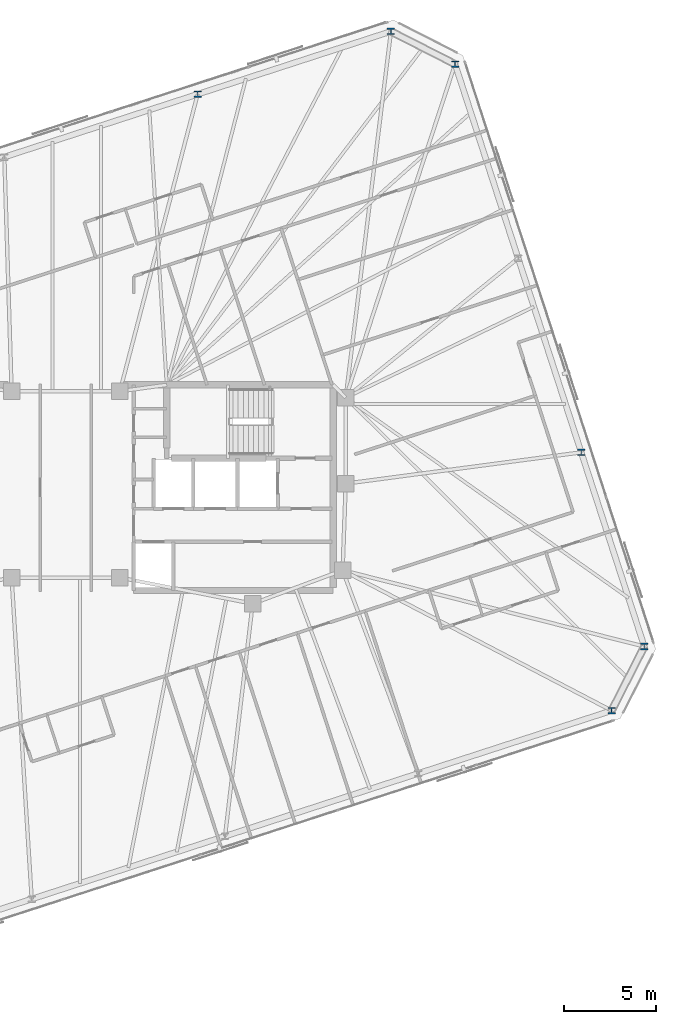
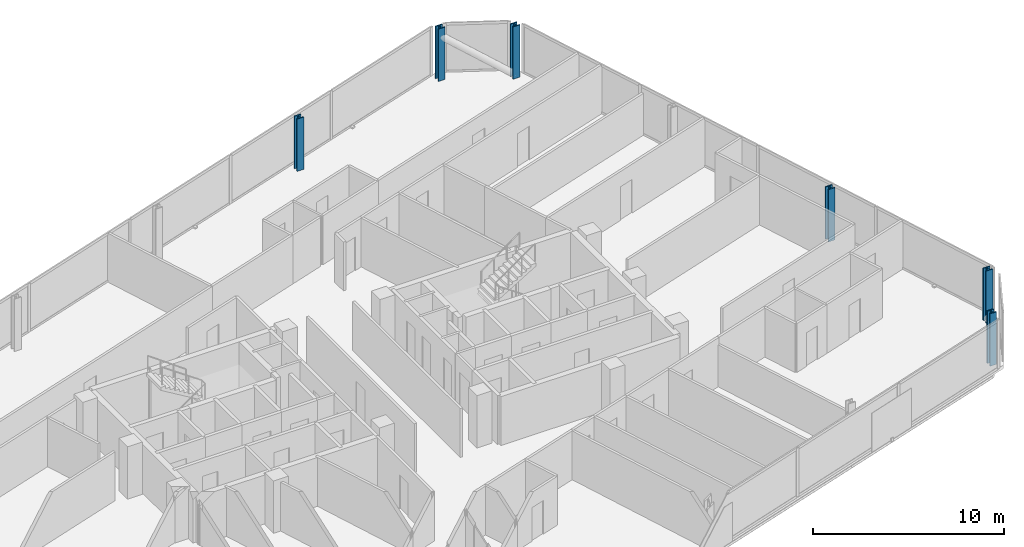
# One storey, part 4 of 19: 6 columns.
"""IFC4 building model written with IfcOpenShell, lengths in metres."""

from ifc_helpers import new_model, si_unit, direction, frame, origin, origin_2d, place, context, subcontext, project, spatial, i_section, extrude, material, material_profile, profile_set, type_object, element, save


model = new_model("IFC4")

# Units and contexts
model_context = context("Model", 3, precision=1e-05, world=origin(), true_north=direction((0.0, 1.0)))
body_context = subcontext(model_context, "Body", "Model", "MODEL_VIEW")
ifc_project = project(units=[si_unit("LENGTHUNIT", "METRE"), si_unit("AREAUNIT", "SQUARE_METRE"), si_unit("VOLUMEUNIT", "CUBIC_METRE"), si_unit("PLANEANGLEUNIT", "RADIAN"), si_unit("MASSUNIT", "GRAM", prefix="KILO")], contexts=[model_context])

# Site, building, storey
site_placement = place(None, origin())
site = spatial("IfcSite", under=ifc_project, at=site_placement, CompositionType="ELEMENT")
building_placement = place(site_placement, origin())
building = spatial("IfcBuilding", under=site, at=building_placement, Name="Menara Jurai Vektor", CompositionType="ELEMENT")
storey_placement = place(building_placement, frame((0.0, 0.0, 234.35009765625)))
storey = spatial("IfcBuildingStorey", under=building, at=storey_placement, Name="L62", CompositionType="ELEMENT", Elevation=234.35009765625)

# Columns
ifc_material = material(Name="Steel S460", Category="steel")
ifc_material_profile = material_profile(ifc_material, i_section(OverallWidth=0.405029296875, OverallDepth=0.35498046875, WebThickness=0.0419921875, FlangeThickness=0.068115234375, FilletRadius=0.014892578125, at=origin_2d()), Name="HD 400x551")
ifc_profile_set = profile_set([ifc_material_profile], Name="Steel S460")
column_type = type_object("IfcColumnType", Name="STR-EXO-BLK4", PredefinedType="COLUMN", material=ifc_profile_set)
for number, where, z_axis, x_axis, name in (
    (1, (29.733642578125, -12.14501953125, 0.0), (0.0, 0.0, 1.0), (1.0, 0.0, 0.0), "Exoskeleton Column BLK4-S6 L62"),
    (2, (31.513427734375, -8.652099609375, 0.0), (0.0, 0.0, 1.0), (1.0, 0.0, 0.0), "Exoskeleton Column BLK4-E1 L62"),
    (3, (28.07763671875, 1.92236328125, 0.0), (0.0, 0.0, 1.0), (1.0, 0.0, 0.0), "Exoskeleton Column BLK4-E2 L62"),
    (4, (21.2060546875, 23.071044921875, 0.0), (0.0, 0.0, 1.0), (1.0, 0.0, 0.0), "Exoskeleton Column BLK4-E4 L62"),
    (5, (17.712890625, 24.85107421875, 0.0), (0.0, 0.0, 1.0), (1.0, 0.0, 0.0), "Exoskeleton Column BLK4-N1 L62"),
    (6, (7.18359375, 21.4296875, 0.0), (0.0, 0.0, 1.0), (1.0, 0.0, 0.0), "Exoskeleton Column BLK4-N2 L62"),
):
    element("IfcColumn", number, at=place(storey_placement, frame(where, z_axis=z_axis, x_axis=x_axis)), inside=storey, type_object=column_type, Name=name, PredefinedType="COLUMN", context=body_context, shape_type="SweptSolid", body=[
        extrude(i_section(OverallWidth=0.405029296875, OverallDepth=0.35498046875, WebThickness=0.0419921875, FlangeThickness=0.068115234375, FilletRadius=0.014892578125, at=origin_2d()), origin(), (0.0, 0.0, 1.0), 3.349853515625),
    ])

save(model, "model.ifc")
